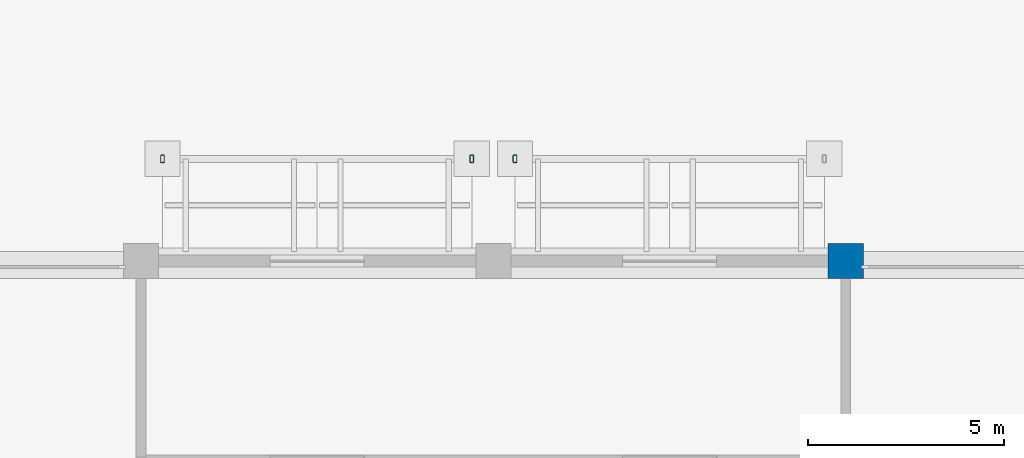
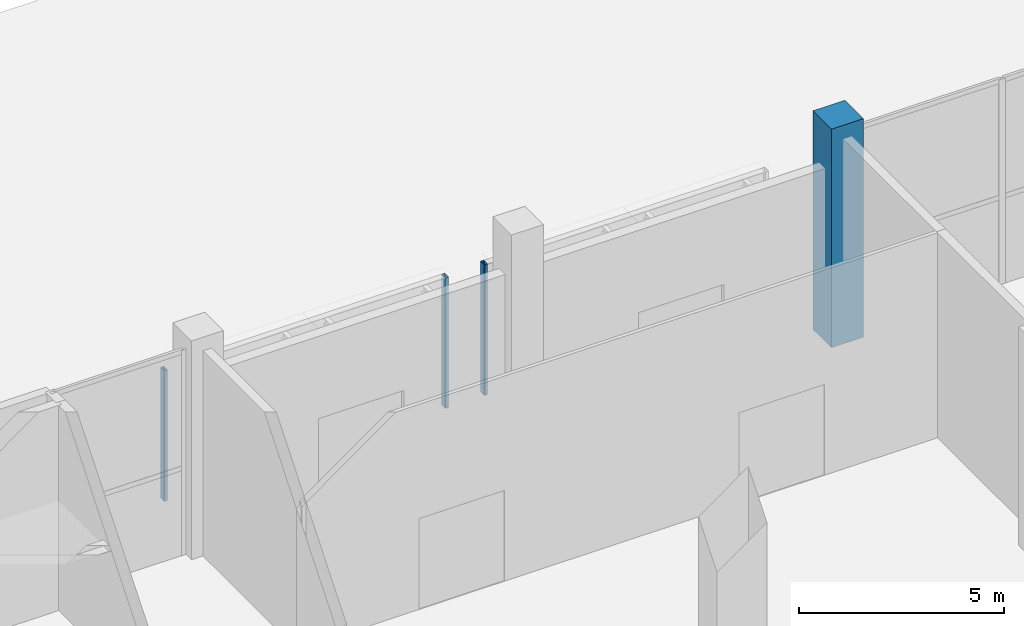
# One storey, part 17 of 39: 4 columns.
"""IFC4 building model written with IfcOpenShell, lengths in metres."""

import ifcopenshell
import ifcopenshell.guid

model = None  # the IFC model being written
_history = None  # IfcOwnerHistory: only IFC2X3 demands one
_inside = {}  # id of a spatial element -> (the spatial element, [elements in it])
_under = {}  # id of a project, library or spatial element -> (it, [spatial elements below it])
_declared = {}  # id of a project -> (the project, [libraries it declares])
_typed = {}  # id of a type object -> (the type object, [elements of that type])
_made_of = {}  # id of a material, layer set ... -> (it, [elements and type objects made of it])


def new_model(schema):
    """Start an empty IFC model of exactly this schema.

    Asked for "IFC4X3", IfcOpenShell would pick the latest addendum, in which some entities
    have other attributes; the version numbers below select the first issue.
    IFC2X3 requires an IfcOwnerHistory on every rooted entity: one is made here for all.
    """
    global model, _history
    if schema == "IFC4X3":
        model = ifcopenshell.file(schema_version=(4, 3, 0, 0))
    else:
        model = ifcopenshell.file(schema=schema)
    _inside.clear()
    _under.clear()
    _declared.clear()
    _typed.clear()
    _made_of.clear()
    _history = None
    if model.schema == "IFC2X3":
        org = make("IfcOrganization", Name="unknown")
        user = make(
            "IfcPersonAndOrganization",
            ThePerson=make("IfcPerson", FamilyName="unknown"),
            TheOrganization=org,
        )
        app = make(
            "IfcApplication",
            ApplicationDeveloper=org,
            Version="unknown",
            ApplicationFullName="unknown",
            ApplicationIdentifier="unknown",
        )
        _history = make(
            "IfcOwnerHistory",
            OwningUser=user,
            OwningApplication=app,
            ChangeAction="ADDED",
            CreationDate=0,
        )
    return model


def make(cls, **values):
    """One entity of the class cls with the attributes given. An attribute that is None is left unset."""
    return model.create_entity(
        cls, **{name: value for name, value in values.items() if value is not None}
    )


def rooted(cls, **values):
    """An entity with a GlobalId (a new one), such as an element, a storey or a relation."""
    return make(cls, GlobalId=ifcopenshell.guid.new(), OwnerHistory=_history, **values)


def si_unit(unit_type, name, prefix=None):
    """IfcSIUnit, for example si_unit("LENGTHUNIT", "METRE", prefix="MILLI")."""
    return make("IfcSIUnit", UnitType=unit_type, Prefix=prefix, Name=name)


def assignment(units):
    """IfcUnitAssignment: the units of a project."""
    return None if units is None else make("IfcUnitAssignment", Units=units)


def point(xyz):
    """IfcCartesianPoint."""
    return None if xyz is None else make("IfcCartesianPoint", Coordinates=xyz)


def direction(xyz):
    """IfcDirection."""
    return None if xyz is None else make("IfcDirection", DirectionRatios=xyz)


def frame(location, z_axis=None, x_axis=None):
    """IfcAxis2Placement3D, a coordinate frame: its origin and axes. An axis left out is left unset."""
    return make(
        "IfcAxis2Placement3D",
        Location=point(location),
        Axis=direction(z_axis),
        RefDirection=direction(x_axis),
    )


def frame_2d(location, x_axis=None):
    """IfcAxis2Placement2D, a coordinate frame in the plane: its origin and x axis."""
    return make(
        "IfcAxis2Placement2D", Location=point(location), RefDirection=direction(x_axis)
    )


def origin():
    """The frame at (0, 0, 0) with its axes left unset."""
    return frame((0.0, 0.0, 0.0))


def origin_2d():
    """The frame at (0, 0) in the plane with its x axis left unset."""
    return frame_2d((0.0, 0.0))


def place(relative_to, where):
    """IfcLocalPlacement: puts the frame where relative to a parent placement (None: the world)."""
    return make(
        "IfcLocalPlacement", PlacementRelTo=relative_to, RelativePlacement=where
    )


def context(
    kind, dimensions, precision=None, world=None, true_north=None, identifier=None
):
    """IfcGeometricRepresentationContext, for example the 3D "Model" context."""
    return make(
        "IfcGeometricRepresentationContext",
        ContextIdentifier=identifier,
        ContextType=kind,
        CoordinateSpaceDimension=dimensions,
        Precision=precision,
        WorldCoordinateSystem=world,
        TrueNorth=true_north,
    )


def subcontext(parent, identifier, kind, view, scale=None):
    """IfcGeometricRepresentationSubContext, for example "Body" below "Model"."""
    return make(
        "IfcGeometricRepresentationSubContext",
        ContextIdentifier=identifier,
        ContextType=kind,
        ParentContext=parent,
        TargetScale=scale,
        TargetView=view,
    )


def project(units=None, contexts=None):
    """IfcProject with its units and contexts."""
    return rooted(
        "IfcProject",
        Name="project",
        RepresentationContexts=contexts,
        UnitsInContext=assignment(units),
    )


def spatial(cls, under=None, at=None, **own):
    """A site, building, storey or space (cls), placed at a placement, below another one or the project."""
    s = rooted(cls, ObjectPlacement=at, **own)
    if under is not None:
        _under.setdefault(under.id(), (under, []))[1].append(s)
    return s


def profile(cls, at=None, kind="AREA", **sizes):
    """A parametric profile (cls). Its sizes go by their IFC names, for example OverallWidth=200.0."""
    return make(cls, ProfileType=kind, Position=at, **sizes)


def rectangle(**sizes):
    """IfcRectangleProfileDef."""
    return profile("IfcRectangleProfileDef", **sizes)


def hollow_rectangle(**sizes):
    """IfcRectangleHollowProfileDef."""
    return profile("IfcRectangleHollowProfileDef", **sizes)


def extrude(swept, where, along, depth):
    """IfcExtrudedAreaSolid: the profile swept, set in the frame where, extruded along a direction by depth."""
    return make(
        "IfcExtrudedAreaSolid",
        SweptArea=swept,
        Position=where,
        ExtrudedDirection=direction(along),
        Depth=depth,
    )


def shape(context_of_items, identifier, shape_type, items):
    """IfcShapeRepresentation: the items that make up one representation, for example the "Body"."""
    return make(
        "IfcShapeRepresentation",
        ContextOfItems=context_of_items,
        RepresentationIdentifier=identifier,
        RepresentationType=shape_type,
        Items=items,
    )


def material(Name=None, Category=None):
    """IfcMaterial."""
    return make("IfcMaterial", Name=Name, Category=Category)


def material_profile(
    of_material, cross_section, Name=None, Category=None, Priority=None
):
    """IfcMaterialProfile: a cross section and its material."""
    return make(
        "IfcMaterialProfile",
        Name=Name,
        Material=of_material,
        Profile=cross_section,
        Priority=Priority,
        Category=Category,
    )


def profile_set(profiles, Name=None, composite=None):
    """IfcMaterialProfileSet."""
    return make(
        "IfcMaterialProfileSet",
        Name=Name,
        MaterialProfiles=profiles,
        CompositeProfile=composite,
    )


def made_of(thing, what):
    """Note that an element or type object is made of a material, layer set ...; save() writes the relation."""
    if what is not None:
        _made_of.setdefault(what.id(), (what, []))[1].append(thing)
    return thing


def type_object(cls, material=None, **own):
    """A type object (cls), such as IfcWallType, which elements share."""
    return made_of(rooted(cls, **own), material)


def element(
    cls,
    number,
    at=None,
    inside=None,
    cuts=None,
    type_object=None,
    material=None,
    context=None,
    identifier="Body",
    shape_type=None,
    held_by="IfcProductDefinitionShape",
    body=None,
    shapes=None,
    **own,
):
    """One element of the class cls, such as IfcWall. Its Tag is "e" and its number.

    at: its placement. inside: the storey or other place that contains it. cuts: it is an
    opening in that element (IfcRelVoidsElement). A single representation is given by context,
    identifier, shape_type and body (its items); several are given by shapes. held_by: the class
    of the entity that holds the representations. save() writes the other relations.
    """
    e = rooted(cls, Tag="e%d" % number, ObjectPlacement=at, **own)
    if body is not None:
        shapes = [shape(context, identifier, shape_type, body)]
    if shapes is not None:
        e.Representation = make(held_by, Representations=shapes)
    if inside is not None:
        _inside.setdefault(inside.id(), (inside, []))[1].append(e)
    if cuts is not None:
        rooted(
            "IfcRelVoidsElement", RelatingBuildingElement=cuts, RelatedOpeningElement=e
        )
    if type_object is not None:
        _typed.setdefault(type_object.id(), (type_object, []))[1].append(e)
    return made_of(e, material)


def aggregate(whole, parts):
    """IfcRelAggregates: a whole, such as a stair, and the parts it consists of."""
    return rooted("IfcRelAggregates", RelatingObject=whole, RelatedObjects=parts)


def save(model, path):
    """Write the relations noted so far, then the file.

    IfcRelAggregates (storeys below a building ...), IfcRelContainedInSpatialStructure (elements
    in a storey), IfcRelDefinesByType, IfcRelAssociatesMaterial and IfcRelDeclares: one each for
    every whole, place, type object, material and project.
    """
    for whole, parts in _under.values():
        aggregate(whole, parts)
    for where, things in _inside.values():
        rooted(
            "IfcRelContainedInSpatialStructure",
            RelatedElements=things,
            RelatingStructure=where,
        )
    for kind, things in _typed.values():
        rooted("IfcRelDefinesByType", RelatedObjects=things, RelatingType=kind)
    for what, things in _made_of.values():
        rooted("IfcRelAssociatesMaterial", RelatedObjects=things, RelatingMaterial=what)
    for by, libraries in _declared.values():
        rooted("IfcRelDeclares", RelatingContext=by, RelatedDefinitions=libraries)
    model.write(path)


model = new_model("IFC4")

# Units and contexts
model_context = context("Model", 3, precision=1e-05, world=origin(), true_north=direction((0.0, 1.0)))
body_context = subcontext(model_context, "Body", "Model", "MODEL_VIEW")
ifc_project = project(units=[si_unit("LENGTHUNIT", "METRE"), si_unit("AREAUNIT", "SQUARE_METRE"), si_unit("VOLUMEUNIT", "CUBIC_METRE"), si_unit("PLANEANGLEUNIT", "RADIAN"), si_unit("MASSUNIT", "GRAM", prefix="KILO")], contexts=[model_context])

# Site, building, storey
site_placement = place(None, origin())
site = spatial("IfcSite", under=ifc_project, at=site_placement, CompositionType="ELEMENT")
building_placement = place(site_placement, origin())
building = spatial("IfcBuilding", under=site, at=building_placement, Name="Brigalow Station Residences", CompositionType="ELEMENT")
storey_placement = place(building_placement, origin())
storey = spatial("IfcBuildingStorey", under=building, at=storey_placement, Name="L00", CompositionType="ELEMENT", Elevation=0.0)

# Columns
ifc_material_1 = material(Name="Steel Grade C450L0 to AS/NZS 1163", Category="steel")
ifc_material_profile_1 = material_profile(ifc_material_1, hollow_rectangle(XDim=0.10009765625, YDim=0.199951171875, WallThickness=0.009033203125, InnerFilletRadius=0.013427734375, OuterFilletRadius=0.0224609375, at=origin_2d()), Name="200x100x9.0RHS")
ifc_profile_set_1 = profile_set([ifc_material_profile_1], Name="Steel Grade C450L0 to AS/NZS 1163")
column_type_1 = type_object("IfcColumnType", Name="CANOPY POST 200x100x9.0RHS", PredefinedType="COLUMN", material=ifc_profile_set_1)
for number, where, z_axis, x_axis, name in (
    (1, (36.550048828125, 61.111083984375, -0.39990234375), (0.0, 0.0, 1.0), (1.0, 0.0, 0.0), "L00/canopy-post/N-entry-e-1"),
    (2, (27.550048828125, 61.111083984375, -0.39990234375), (0.0, 0.0, 1.0), (1.0, 0.0, 0.0), "L00/canopy-post/N-entry-w-1"),
    (3, (35.449951171875, 61.111083984375, -0.39990234375), (0.0, 0.0, 1.0), (1.0, 0.0, 0.0), "L00/canopy-post/N-entry-w-2"),
):
    element("IfcColumn", number, at=place(storey_placement, frame(where, z_axis=z_axis, x_axis=x_axis)), inside=storey, type_object=column_type_1, Name=name, PredefinedType="COLUMN", context=body_context, shape_type="SweptSolid", body=[
        extrude(hollow_rectangle(XDim=0.10009765625, YDim=0.199951171875, WallThickness=0.009033203125, InnerFilletRadius=0.013427734375, OuterFilletRadius=0.0224609375, at=origin_2d()), origin(), (0.0, 0.0, 1.0), 3.8779296875),
    ])
ifc_material_2 = material(Name="Concrete C50", Category="concrete")
ifc_material_profile_2 = material_profile(ifc_material_2, rectangle(XDim=0.89990234375, YDim=0.89990234375, at=origin_2d()), Name="RC900x900")
ifc_profile_set_2 = profile_set([ifc_material_profile_2], Name="Concrete C50")
column_type_2 = type_object("IfcColumnType", Name="COLUMN 900x900 C50", PredefinedType="COLUMN", material=ifc_profile_set_2)
column_placement = place(storey_placement, frame((45.0, 58.5, 0.0), z_axis=(0.0, 0.0, 1.0), x_axis=(1.0, 0.0, 0.0)))
element("IfcColumn", 4, at=column_placement, inside=storey, type_object=column_type_2, Name="COLUMN F5 L00", PredefinedType="COLUMN", context=body_context, shape_type="SweptSolid", body=[
    extrude(rectangle(XDim=0.89990234375, YDim=0.89990234375, at=origin_2d()), origin(), (0.0, 0.0, 1.0), 6.5),
])

save(model, "model.ifc")
